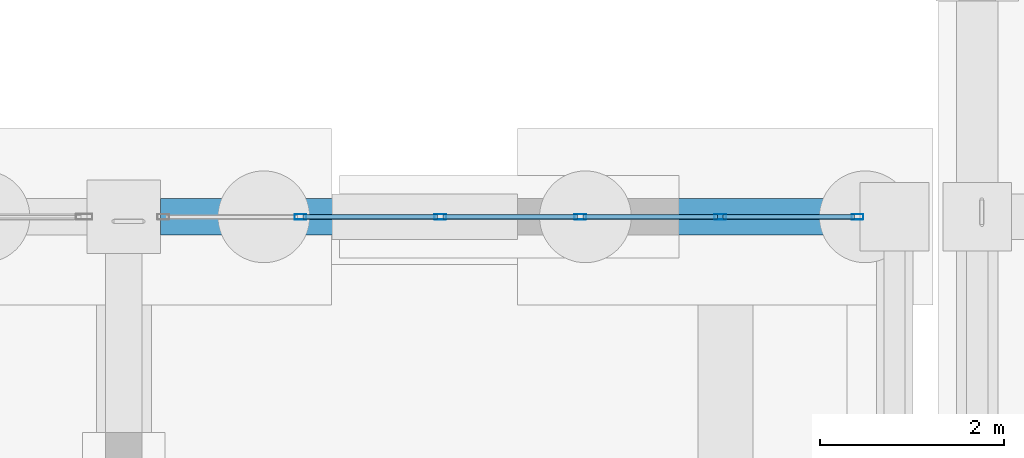
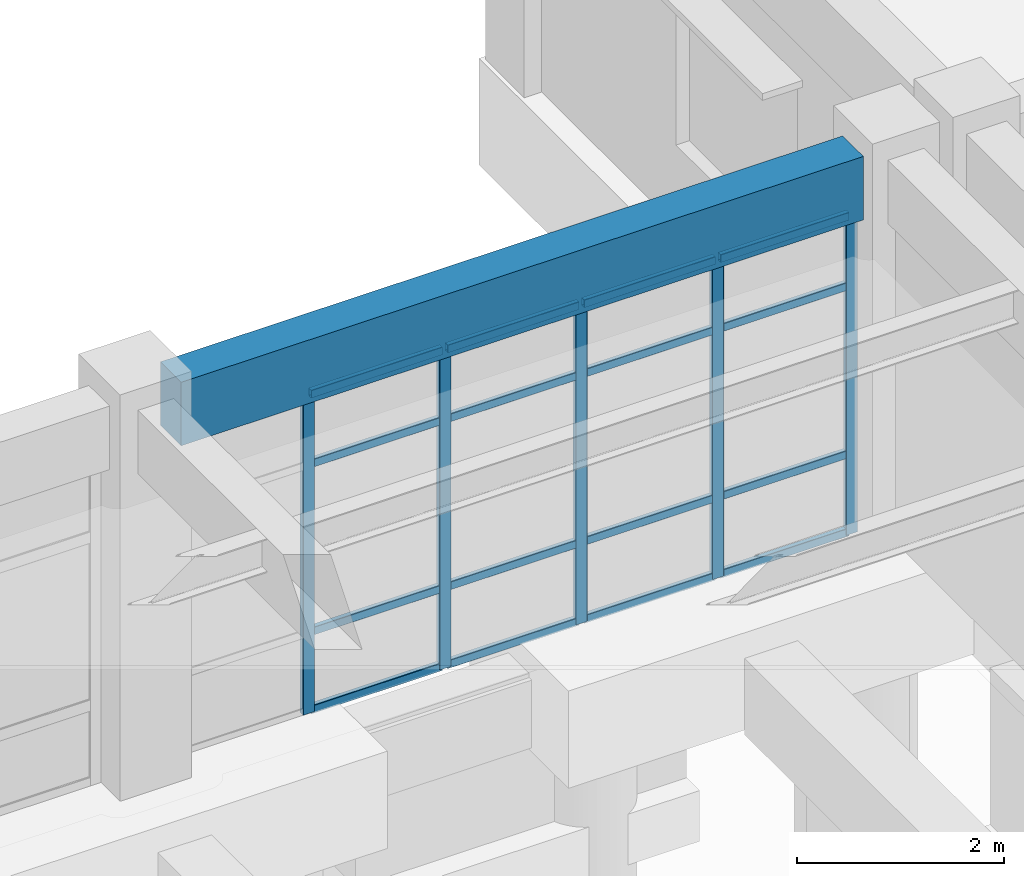
# One storey, part 36 of 111: 21 members, 1 beam, 1 element without a shape of its own.
"""IFC4 building model written with IfcOpenShell, lengths in metres."""

from ifc_helpers import new_model, si_unit, direction, frame, origin, origin_2d, place, context, subcontext, project, spatial, rectangle, hollow_rectangle, extrude, material, material_profile, profile_set, type_object, element, aggregate, save


model = new_model("IFC4")

# Units and contexts
model_context = context("Model", 3, precision=1e-05, world=origin(), true_north=direction((0.0, 1.0)))
body_context = subcontext(model_context, "Body", "Model", "MODEL_VIEW")
ifc_project = project(units=[si_unit("LENGTHUNIT", "METRE"), si_unit("AREAUNIT", "SQUARE_METRE"), si_unit("VOLUMEUNIT", "CUBIC_METRE"), si_unit("PLANEANGLEUNIT", "RADIAN"), si_unit("MASSUNIT", "GRAM", prefix="KILO")], contexts=[model_context])

# Site, building, storey
site_placement = place(None, origin())
site = spatial("IfcSite", under=ifc_project, at=site_placement, CompositionType="ELEMENT")
building_placement = place(site_placement, origin())
building = spatial("IfcBuilding", under=site, at=building_placement, Name="Canglan Escarpment Cableway Terminal", CompositionType="ELEMENT")
storey_placement = place(building_placement, frame((0.0, 0.0, 4.800048828125)))
storey = spatial("IfcBuildingStorey", under=building, at=storey_placement, Name="L01", CompositionType="ELEMENT", Elevation=4.800048828125)

# Curtain wall, members
ifc_material_1 = material(Name="Anodized bronze aluminium and Low-E double glazing", Category="aluminium")
curtain_wall_type = type_object("IfcCurtainWallType", Name="CW-BAY-7625x3775", PredefinedType="NOTDEFINED", material=ifc_material_1)
curtain_wall_placement = place(storey_placement, origin())
curtain_wall = element("IfcCurtainWall", 1, at=curtain_wall_placement, inside=storey, type_object=curtain_wall_type, Name="Classical bay-between-piers glazed curtain wall CW-10", PredefinedType="NOTDEFINED")
ifc_material_2 = material(Name="Thermally broken anodized aluminium 6063-T6", Category="aluminium")
ifc_material_profile_1 = material_profile(ifc_material_2, hollow_rectangle(XDim=0.06005859375, YDim=0.1298828125, WallThickness=0.0029296875, InnerFilletRadius=0.0029296875, OuterFilletRadius=0.006103515625, at=origin_2d()), Name="ALU-MULL 60x130x3")
ifc_profile_set_1 = profile_set([ifc_material_profile_1], Name="Thermally broken anodized aluminium 6063-T6")
member_type_1 = type_object("IfcMemberType", Name="CWM-01", PredefinedType="MULLION", material=ifc_profile_set_1)
member_1_placement = place(storey_placement, frame((110.195068359375, 24.800048828125, 0.0), z_axis=(0.0, 0.0, 1.0), x_axis=(0.0, -1.0, 0.0)))
member_1 = element("IfcMember", 2, at=member_1_placement, type_object=member_type_1, Name="CW-10 mullion 1", PredefinedType="MULLION", context=body_context, shape_type="SweptSolid", body=[
    extrude(hollow_rectangle(XDim=0.06005859375, YDim=0.1298828125, WallThickness=0.0029296875, InnerFilletRadius=0.0029296875, OuterFilletRadius=0.006103515625, at=origin_2d()), origin(), (0.0, 0.0, 1.0), 3.784912109375),
])
member_2_placement = place(storey_placement, frame((108.699951171875, 24.800048828125, 0.0), z_axis=(0.0, 0.0, 1.0), x_axis=(0.0, -1.0, 0.0)))
member_2 = element("IfcMember", 3, at=member_2_placement, type_object=member_type_1, Name="CW-10 mullion 2", PredefinedType="MULLION", context=body_context, shape_type="SweptSolid", body=[
    extrude(hollow_rectangle(XDim=0.06005859375, YDim=0.1298828125, WallThickness=0.0029296875, InnerFilletRadius=0.0029296875, OuterFilletRadius=0.006103515625, at=origin_2d()), origin(), (0.0, 0.0, 1.0), 3.784912109375),
])
member_3_placement = place(storey_placement, frame((107.175048828125, 24.800048828125, 0.0), z_axis=(0.0, 0.0, 1.0), x_axis=(0.0, -1.0, 0.0)))
member_3 = element("IfcMember", 4, at=member_3_placement, type_object=member_type_1, Name="CW-10 mullion 3", PredefinedType="MULLION", context=body_context, shape_type="SweptSolid", body=[
    extrude(hollow_rectangle(XDim=0.06005859375, YDim=0.1298828125, WallThickness=0.0029296875, InnerFilletRadius=0.0029296875, OuterFilletRadius=0.006103515625, at=origin_2d()), origin(), (0.0, 0.0, 1.0), 3.784912109375),
])
member_4_placement = place(storey_placement, frame((105.64990234375, 24.800048828125, 0.0), z_axis=(0.0, 0.0, 1.0), x_axis=(0.0, -1.0, 0.0)))
member_4 = element("IfcMember", 5, at=member_4_placement, type_object=member_type_1, Name="CW-10 mullion 4", PredefinedType="MULLION", context=body_context, shape_type="SweptSolid", body=[
    extrude(hollow_rectangle(XDim=0.06005859375, YDim=0.1298828125, WallThickness=0.0029296875, InnerFilletRadius=0.0029296875, OuterFilletRadius=0.006103515625, at=origin_2d()), origin(), (0.0, 0.0, 1.0), 3.784912109375),
])
member_5_placement = place(storey_placement, frame((104.125, 24.800048828125, 0.0), z_axis=(0.0, 0.0, 1.0), x_axis=(0.0, -1.0, 0.0)))
member_5 = element("IfcMember", 6, at=member_5_placement, type_object=member_type_1, Name="CW-10 mullion 5", PredefinedType="MULLION", context=body_context, shape_type="SweptSolid", body=[
    extrude(hollow_rectangle(XDim=0.06005859375, YDim=0.1298828125, WallThickness=0.0029296875, InnerFilletRadius=0.0029296875, OuterFilletRadius=0.006103515625, at=origin_2d()), origin(), (0.0, 0.0, 1.0), 3.784912109375),
])
ifc_material_profile_2 = material_profile(ifc_material_2, hollow_rectangle(XDim=0.054931640625, YDim=0.094970703125, WallThickness=0.0029296875, InnerFilletRadius=0.0029296875, OuterFilletRadius=0.006103515625, at=origin_2d()), Name="ALU-TRAN 55x95x3")
ifc_profile_set_2 = profile_set([ifc_material_profile_2], Name="Thermally broken anodized aluminium 6063-T6")
member_type_2 = type_object("IfcMemberType", Name="CWT-01", PredefinedType="USERDEFINED", material=ifc_profile_set_2)
member_6_placement = place(storey_placement, frame((110.1650390625, 24.800048828125, 0.02734375), z_axis=(-1.0, 0.0, 0.0), x_axis=(0.0, -1.0, 0.0)))
member_6 = element("IfcMember", 7, at=member_6_placement, type_object=member_type_2, Name="CW-10 transom 1.1", ObjectType="TRANSOM", PredefinedType="USERDEFINED", context=body_context, shape_type="SweptSolid", body=[
    extrude(hollow_rectangle(XDim=0.054931640625, YDim=0.094970703125, WallThickness=0.0029296875, InnerFilletRadius=0.0029296875, OuterFilletRadius=0.006103515625, at=origin_2d()), origin(), (0.0, 0.0, 1.0), 1.43505859375),
])
member_7_placement = place(storey_placement, frame((110.1650390625, 24.800048828125, 0.949951171875), z_axis=(-1.0, 0.0, 0.0), x_axis=(0.0, -1.0, 0.0)))
member_7 = element("IfcMember", 8, at=member_7_placement, type_object=member_type_2, Name="CW-10 transom 1.2", ObjectType="TRANSOM", PredefinedType="USERDEFINED", context=body_context, shape_type="SweptSolid", body=[
    extrude(hollow_rectangle(XDim=0.054931640625, YDim=0.094970703125, WallThickness=0.0029296875, InnerFilletRadius=0.0029296875, OuterFilletRadius=0.006103515625, at=origin_2d()), origin(), (0.0, 0.0, 1.0), 1.43505859375),
])
member_8_placement = place(storey_placement, frame((110.1650390625, 24.800048828125, 2.93505859375), z_axis=(-1.0, 0.0, 0.0), x_axis=(0.0, -1.0, 0.0)))
member_8 = element("IfcMember", 9, at=member_8_placement, type_object=member_type_2, Name="CW-10 transom 1.3", ObjectType="TRANSOM", PredefinedType="USERDEFINED", context=body_context, shape_type="SweptSolid", body=[
    extrude(hollow_rectangle(XDim=0.054931640625, YDim=0.094970703125, WallThickness=0.0029296875, InnerFilletRadius=0.0029296875, OuterFilletRadius=0.006103515625, at=origin_2d()), origin(), (0.0, 0.0, 1.0), 1.43505859375),
])
member_9_placement = place(storey_placement, frame((110.1650390625, 24.800048828125, 3.757568359375), z_axis=(-1.0, 0.0, 0.0), x_axis=(0.0, -1.0, 0.0)))
member_9 = element("IfcMember", 10, at=member_9_placement, type_object=member_type_2, Name="CW-10 transom 1.4", ObjectType="TRANSOM", PredefinedType="USERDEFINED", context=body_context, shape_type="SweptSolid", body=[
    extrude(hollow_rectangle(XDim=0.054931640625, YDim=0.094970703125, WallThickness=0.0029296875, InnerFilletRadius=0.0029296875, OuterFilletRadius=0.006103515625, at=origin_2d()), origin(), (0.0, 0.0, 1.0), 1.43505859375),
])
member_10_placement = place(storey_placement, frame((108.669921875, 24.800048828125, 0.02734375), z_axis=(-1.0, 0.0, 0.0), x_axis=(0.0, -1.0, 0.0)))
member_10 = element("IfcMember", 11, at=member_10_placement, type_object=member_type_2, Name="CW-10 transom 2.1", ObjectType="TRANSOM", PredefinedType="USERDEFINED", context=body_context, shape_type="SweptSolid", body=[
    extrude(hollow_rectangle(XDim=0.054931640625, YDim=0.094970703125, WallThickness=0.0029296875, InnerFilletRadius=0.0029296875, OuterFilletRadius=0.006103515625, at=origin_2d()), origin(), (0.0, 0.0, 1.0), 1.46484375),
])
member_11_placement = place(storey_placement, frame((108.669921875, 24.800048828125, 0.949951171875), z_axis=(-1.0, 0.0, 0.0), x_axis=(0.0, -1.0, 0.0)))
member_11 = element("IfcMember", 12, at=member_11_placement, type_object=member_type_2, Name="CW-10 transom 2.2", ObjectType="TRANSOM", PredefinedType="USERDEFINED", context=body_context, shape_type="SweptSolid", body=[
    extrude(hollow_rectangle(XDim=0.054931640625, YDim=0.094970703125, WallThickness=0.0029296875, InnerFilletRadius=0.0029296875, OuterFilletRadius=0.006103515625, at=origin_2d()), origin(), (0.0, 0.0, 1.0), 1.46484375),
])
member_12_placement = place(storey_placement, frame((108.669921875, 24.800048828125, 2.93505859375), z_axis=(-1.0, 0.0, 0.0), x_axis=(0.0, -1.0, 0.0)))
member_12 = element("IfcMember", 13, at=member_12_placement, type_object=member_type_2, Name="CW-10 transom 2.3", ObjectType="TRANSOM", PredefinedType="USERDEFINED", context=body_context, shape_type="SweptSolid", body=[
    extrude(hollow_rectangle(XDim=0.054931640625, YDim=0.094970703125, WallThickness=0.0029296875, InnerFilletRadius=0.0029296875, OuterFilletRadius=0.006103515625, at=origin_2d()), origin(), (0.0, 0.0, 1.0), 1.46484375),
])
member_13_placement = place(storey_placement, frame((108.669921875, 24.800048828125, 3.757568359375), z_axis=(-1.0, 0.0, 0.0), x_axis=(0.0, -1.0, 0.0)))
member_13 = element("IfcMember", 14, at=member_13_placement, type_object=member_type_2, Name="CW-10 transom 2.4", ObjectType="TRANSOM", PredefinedType="USERDEFINED", context=body_context, shape_type="SweptSolid", body=[
    extrude(hollow_rectangle(XDim=0.054931640625, YDim=0.094970703125, WallThickness=0.0029296875, InnerFilletRadius=0.0029296875, OuterFilletRadius=0.006103515625, at=origin_2d()), origin(), (0.0, 0.0, 1.0), 1.46484375),
])
member_14_placement = place(storey_placement, frame((107.14501953125, 24.800048828125, 0.02734375), z_axis=(-1.0, 0.0, 0.0), x_axis=(0.0, -1.0, 0.0)))
member_14 = element("IfcMember", 15, at=member_14_placement, type_object=member_type_2, Name="CW-10 transom 3.1", ObjectType="TRANSOM", PredefinedType="USERDEFINED", context=body_context, shape_type="SweptSolid", body=[
    extrude(hollow_rectangle(XDim=0.054931640625, YDim=0.094970703125, WallThickness=0.0029296875, InnerFilletRadius=0.0029296875, OuterFilletRadius=0.006103515625, at=origin_2d()), origin(), (0.0, 0.0, 1.0), 1.465087890625),
])
member_15_placement = place(storey_placement, frame((107.14501953125, 24.800048828125, 0.949951171875), z_axis=(-1.0, 0.0, 0.0), x_axis=(0.0, -1.0, 0.0)))
member_15 = element("IfcMember", 16, at=member_15_placement, type_object=member_type_2, Name="CW-10 transom 3.2", ObjectType="TRANSOM", PredefinedType="USERDEFINED", context=body_context, shape_type="SweptSolid", body=[
    extrude(hollow_rectangle(XDim=0.054931640625, YDim=0.094970703125, WallThickness=0.0029296875, InnerFilletRadius=0.0029296875, OuterFilletRadius=0.006103515625, at=origin_2d()), origin(), (0.0, 0.0, 1.0), 1.465087890625),
])
member_16_placement = place(storey_placement, frame((107.14501953125, 24.800048828125, 2.93505859375), z_axis=(-1.0, 0.0, 0.0), x_axis=(0.0, -1.0, 0.0)))
member_16 = element("IfcMember", 17, at=member_16_placement, type_object=member_type_2, Name="CW-10 transom 3.3", ObjectType="TRANSOM", PredefinedType="USERDEFINED", context=body_context, shape_type="SweptSolid", body=[
    extrude(hollow_rectangle(XDim=0.054931640625, YDim=0.094970703125, WallThickness=0.0029296875, InnerFilletRadius=0.0029296875, OuterFilletRadius=0.006103515625, at=origin_2d()), origin(), (0.0, 0.0, 1.0), 1.465087890625),
])
member_17_placement = place(storey_placement, frame((107.14501953125, 24.800048828125, 3.757568359375), z_axis=(-1.0, 0.0, 0.0), x_axis=(0.0, -1.0, 0.0)))
member_17 = element("IfcMember", 18, at=member_17_placement, type_object=member_type_2, Name="CW-10 transom 3.4", ObjectType="TRANSOM", PredefinedType="USERDEFINED", context=body_context, shape_type="SweptSolid", body=[
    extrude(hollow_rectangle(XDim=0.054931640625, YDim=0.094970703125, WallThickness=0.0029296875, InnerFilletRadius=0.0029296875, OuterFilletRadius=0.006103515625, at=origin_2d()), origin(), (0.0, 0.0, 1.0), 1.465087890625),
])
member_18_placement = place(storey_placement, frame((105.6201171875, 24.800048828125, 0.02734375), z_axis=(-1.0, 0.0, 0.0), x_axis=(0.0, -1.0, 0.0)))
member_18 = element("IfcMember", 19, at=member_18_placement, type_object=member_type_2, Name="CW-10 transom 4.1", ObjectType="TRANSOM", PredefinedType="USERDEFINED", context=body_context, shape_type="SweptSolid", body=[
    extrude(hollow_rectangle(XDim=0.054931640625, YDim=0.094970703125, WallThickness=0.0029296875, InnerFilletRadius=0.0029296875, OuterFilletRadius=0.006103515625, at=origin_2d()), origin(), (0.0, 0.0, 1.0), 1.465087890625),
])
member_19_placement = place(storey_placement, frame((105.6201171875, 24.800048828125, 0.949951171875), z_axis=(-1.0, 0.0, 0.0), x_axis=(0.0, -1.0, 0.0)))
member_19 = element("IfcMember", 20, at=member_19_placement, type_object=member_type_2, Name="CW-10 transom 4.2", ObjectType="TRANSOM", PredefinedType="USERDEFINED", context=body_context, shape_type="SweptSolid", body=[
    extrude(hollow_rectangle(XDim=0.054931640625, YDim=0.094970703125, WallThickness=0.0029296875, InnerFilletRadius=0.0029296875, OuterFilletRadius=0.006103515625, at=origin_2d()), origin(), (0.0, 0.0, 1.0), 1.465087890625),
])
member_20_placement = place(storey_placement, frame((105.6201171875, 24.800048828125, 2.93505859375), z_axis=(-1.0, 0.0, 0.0), x_axis=(0.0, -1.0, 0.0)))
member_20 = element("IfcMember", 21, at=member_20_placement, type_object=member_type_2, Name="CW-10 transom 4.3", ObjectType="TRANSOM", PredefinedType="USERDEFINED", context=body_context, shape_type="SweptSolid", body=[
    extrude(hollow_rectangle(XDim=0.054931640625, YDim=0.094970703125, WallThickness=0.0029296875, InnerFilletRadius=0.0029296875, OuterFilletRadius=0.006103515625, at=origin_2d()), origin(), (0.0, 0.0, 1.0), 1.465087890625),
])
member_21_placement = place(storey_placement, frame((105.6201171875, 24.800048828125, 3.757568359375), z_axis=(-1.0, 0.0, 0.0), x_axis=(0.0, -1.0, 0.0)))
member_21 = element("IfcMember", 22, at=member_21_placement, type_object=member_type_2, Name="CW-10 transom 4.4", ObjectType="TRANSOM", PredefinedType="USERDEFINED", context=body_context, shape_type="SweptSolid", body=[
    extrude(hollow_rectangle(XDim=0.054931640625, YDim=0.094970703125, WallThickness=0.0029296875, InnerFilletRadius=0.0029296875, OuterFilletRadius=0.006103515625, at=origin_2d()), origin(), (0.0, 0.0, 1.0), 1.465087890625),
])
aggregate(curtain_wall, [member_1, member_2, member_3, member_4, member_5, member_6, member_7, member_8, member_9, member_10, member_11, member_12, member_13, member_14, member_15, member_16, member_17, member_18, member_19, member_20, member_21])

# Beam
ifc_material_3 = material(Name="Concrete C40", Category="concrete")
ifc_material_profile_3 = material_profile(ifc_material_3, rectangle(XDim=0.39990234375, YDim=0.75, at=origin_2d()), Name="RC 400x750")
ifc_profile_set_3 = profile_set([ifc_material_profile_3], Name="Concrete C40")
beam_type = type_object("IfcBeamType", Name="SP-RC400x750", PredefinedType="SPANDREL", material=ifc_profile_set_3)
beam_placement = place(storey_placement, frame((102.60009765625, 24.800048828125, 4.175048828125), z_axis=(1.0, 0.0, 0.0), x_axis=(0.0, 1.0, 0.0)))
element("IfcBeam", 23, at=beam_placement, inside=storey, type_object=beam_type, Name="Primary structural girder SP-01", PredefinedType="SPANDREL", context=body_context, shape_type="SweptSolid", body=[
    extrude(rectangle(XDim=0.39990234375, YDim=0.75, at=origin_2d()), origin(), (0.0, 0.0, 1.0), 7.625),
])

save(model, "model.ifc")
